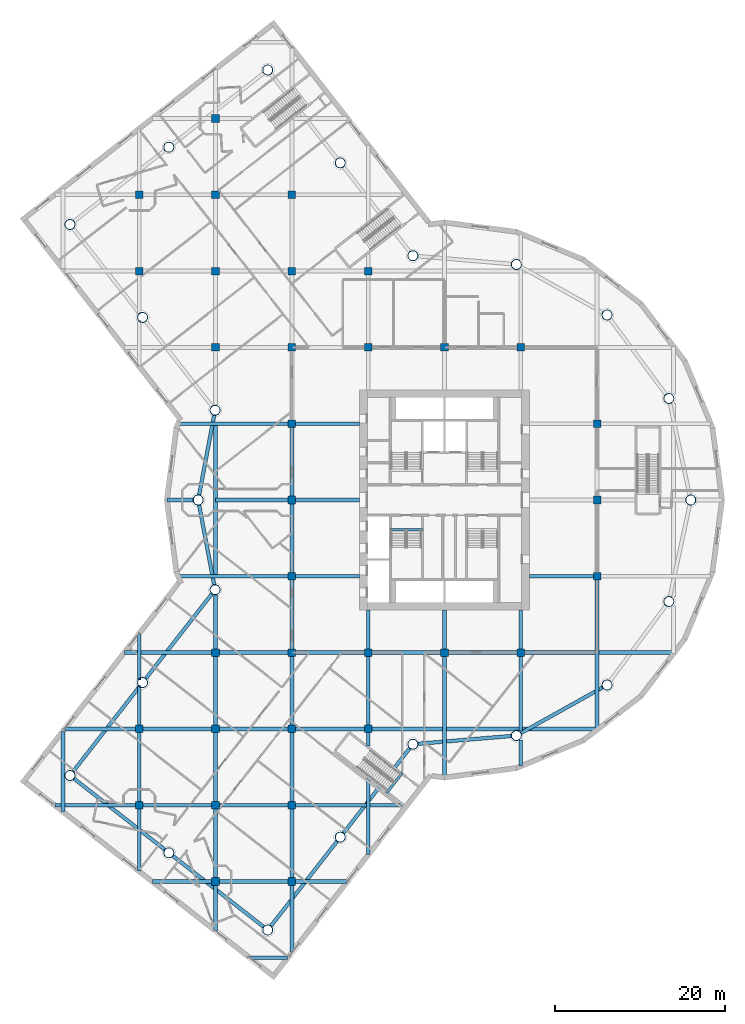
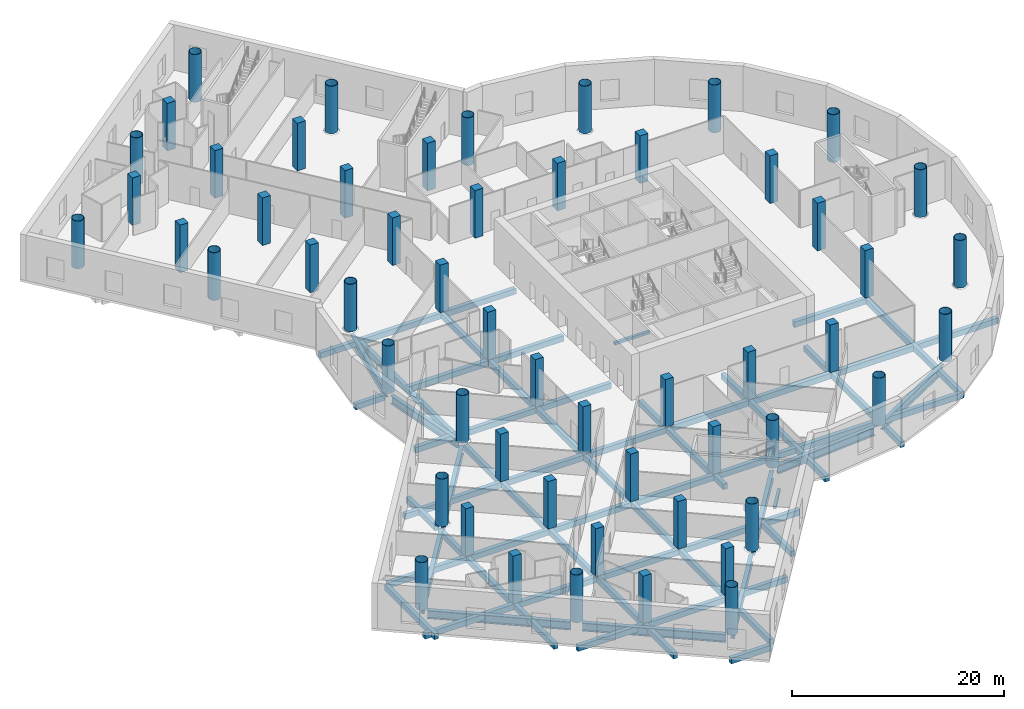
# One storey, part 1 of 23: 67 beams, 55 columns.
"""IFC4 building model written with IfcOpenShell, lengths in metres."""

from ifc_helpers import new_model, si_unit, direction, frame, origin, origin_2d, place, context, subcontext, project, spatial, rectangle, hollow_circle, i_section, extrude, material, material_profile, profile_set, type_object, element, save


model = new_model("IFC4")

# Units and contexts
model_context = context("Model", 3, precision=1e-05, world=origin(), true_north=direction((0.0, 1.0)))
body_context = subcontext(model_context, "Body", "Model", "MODEL_VIEW")
ifc_project = project(units=[si_unit("LENGTHUNIT", "METRE"), si_unit("AREAUNIT", "SQUARE_METRE"), si_unit("VOLUMEUNIT", "CUBIC_METRE"), si_unit("PLANEANGLEUNIT", "RADIAN"), si_unit("MASSUNIT", "GRAM", prefix="KILO")], contexts=[model_context])

# Site, building, storey
site_placement = place(None, origin())
site = spatial("IfcSite", under=ifc_project, at=site_placement, CompositionType="ELEMENT")
building_placement = place(site_placement, origin())
building = spatial("IfcBuilding", under=site, at=building_placement, Name="Tarsis Ring Headquarters", CompositionType="ELEMENT")
storey_placement = place(building_placement, frame((0.0, 0.0, 19.5)))
storey = spatial("IfcBuildingStorey", under=building, at=storey_placement, Name="L03", CompositionType="ELEMENT", Elevation=19.5)

# Columns
ifc_material_1 = material(Name="Concrete C60/75", Category="concrete")
ifc_material_profile_1 = material_profile(ifc_material_1, rectangle(XDim=0.89990234375, YDim=0.89990234375, at=origin_2d()), Name="PO-C900")
ifc_profile_set_1 = profile_set([ifc_material_profile_1], Name="Concrete C60/75")
column_type_1 = type_object("IfcColumnType", Name="PO-C900", PredefinedType="COLUMN", material=ifc_profile_set_1)
for number, where, z_axis, x_axis, name in (
    (1, (-36.0, -36.0, 0.0), (0.0, 0.0, 1.0), (1.0, 0.0, 0.0), "L03 column 1"),
    (2, (-36.0, -27.0, 0.0), (0.0, 0.0, 1.0), (1.0, 0.0, 0.0), "L03 column 2"),
    (3, (-36.0, 27.0, 0.0), (0.0, 0.0, 1.0), (1.0, 0.0, 0.0), "L03 column 3"),
    (4, (-36.0, 36.0, 0.0), (0.0, 0.0, 1.0), (1.0, 0.0, 0.0), "L03 column 4"),
    (5, (-27.0, -45.0, 0.0), (0.0, 0.0, 1.0), (1.0, 0.0, 0.0), "L03 column 5"),
    (6, (-27.0, -36.0, 0.0), (0.0, 0.0, 1.0), (1.0, 0.0, 0.0), "L03 column 6"),
    (7, (-27.0, -27.0, 0.0), (0.0, 0.0, 1.0), (1.0, 0.0, 0.0), "L03 column 7"),
    (8, (-27.0, -18.0, 0.0), (0.0, 0.0, 1.0), (1.0, 0.0, 0.0), "L03 column 8"),
    (9, (-27.0, 18.0, 0.0), (0.0, 0.0, 1.0), (1.0, 0.0, 0.0), "L03 column 9"),
    (10, (-27.0, 27.0, 0.0), (0.0, 0.0, 1.0), (1.0, 0.0, 0.0), "L03 column 10"),
    (11, (-27.0, 36.0, 0.0), (0.0, 0.0, 1.0), (1.0, 0.0, 0.0), "L03 column 11"),
    (12, (-27.0, 45.0, 0.0), (0.0, 0.0, 1.0), (1.0, 0.0, 0.0), "L03 column 12"),
    (13, (-18.0, -45.0, 0.0), (0.0, 0.0, 1.0), (1.0, 0.0, 0.0), "L03 column 13"),
    (14, (-18.0, -36.0, 0.0), (0.0, 0.0, 1.0), (1.0, 0.0, 0.0), "L03 column 14"),
    (15, (-18.0, -27.0, 0.0), (0.0, 0.0, 1.0), (1.0, 0.0, 0.0), "L03 column 15"),
    (16, (-18.0, -18.0, 0.0), (0.0, 0.0, 1.0), (1.0, 0.0, 0.0), "L03 column 16"),
    (17, (-18.0, -9.0, 0.0), (0.0, 0.0, 1.0), (1.0, 0.0, 0.0), "L03 column 17"),
    (18, (-18.0, 0.0, 0.0), (0.0, 0.0, 1.0), (1.0, 0.0, 0.0), "L03 column 18"),
    (19, (-18.0, 9.0, 0.0), (0.0, 0.0, 1.0), (1.0, 0.0, 0.0), "L03 column 19"),
    (20, (-18.0, 18.0, 0.0), (0.0, 0.0, 1.0), (1.0, 0.0, 0.0), "L03 column 20"),
    (21, (-18.0, 27.0, 0.0), (0.0, 0.0, 1.0), (1.0, 0.0, 0.0), "L03 column 21"),
    (22, (-18.0, 36.0, 0.0), (0.0, 0.0, 1.0), (1.0, 0.0, 0.0), "L03 column 22"),
    (23, (-9.0, -27.0, 0.0), (0.0, 0.0, 1.0), (1.0, 0.0, 0.0), "L03 column 23"),
    (24, (-9.0, -18.0, 0.0), (0.0, 0.0, 1.0), (1.0, 0.0, 0.0), "L03 column 24"),
    (25, (-9.0, 18.0, 0.0), (0.0, 0.0, 1.0), (1.0, 0.0, 0.0), "L03 column 25"),
    (26, (-9.0, 27.0, 0.0), (0.0, 0.0, 1.0), (1.0, 0.0, 0.0), "L03 column 26"),
    (27, (0.0, -18.0, 0.0), (0.0, 0.0, 1.0), (1.0, 0.0, 0.0), "L03 column 27"),
    (28, (0.0, 18.0, 0.0), (0.0, 0.0, 1.0), (1.0, 0.0, 0.0), "L03 column 28"),
    (29, (9.0, -18.0, 0.0), (0.0, 0.0, 1.0), (1.0, 0.0, 0.0), "L03 column 29"),
    (30, (9.0, 18.0, 0.0), (0.0, 0.0, 1.0), (1.0, 0.0, 0.0), "L03 column 30"),
    (31, (18.0, -9.0, 0.0), (0.0, 0.0, 1.0), (1.0, 0.0, 0.0), "L03 column 31"),
    (32, (18.0, 0.0, 0.0), (0.0, 0.0, 1.0), (1.0, 0.0, 0.0), "L03 column 32"),
    (33, (18.0, 9.0, 0.0), (0.0, 0.0, 1.0), (1.0, 0.0, 0.0), "L03 column 33"),
):
    element("IfcColumn", number, at=place(storey_placement, frame(where, z_axis=z_axis, x_axis=x_axis)), inside=storey, type_object=column_type_1, Name=name, PredefinedType="COLUMN", context=body_context, shape_type="SweptSolid", body=[
        extrude(rectangle(XDim=0.89990234375, YDim=0.89990234375, at=origin_2d()), origin(), (0.0, 0.0, 1.0), 5.5),
    ])
ifc_material_2 = material(Name="Structural steel S460", Category="steel")
ifc_material_profile_2 = material_profile(ifc_material_2, hollow_circle(Radius=0.609619140625, WallThickness=0.050048828125, at=origin_2d()), Name="CHS 1219x50")
ifc_profile_set_2 = profile_set([ifc_material_profile_2], Name="Structural steel S460")
column_type_2 = type_object("IfcColumnType", Name="XC Exo column CHS 1219x50", PredefinedType="COLUMN", material=ifc_profile_set_2)
for number, where, z_axis, x_axis, name in (
    (34, (-29.048583984375, 0.0, 0.000244140625), (0.0, 0.0, 1.0), (1.0, 0.0, 0.0), "Exo column XC1 F1"),
    (35, (-27.05126953125, -10.5849609375, 0.000244140625), (0.0, 0.0, 1.0), (1.0, 0.0, 0.0), "Exo column XC1 AK"),
    (36, (-35.6103515625, -21.5400390625, 0.000244140625), (0.0, 0.0, 1.0), (1.0, 0.0, 0.0), "Exo column XC1 AI1"),
    (37, (-44.16943359375, -32.4951171875, 0.000244140625), (0.0, 0.0, 1.0), (1.0, 0.0, 0.0), "Exo column XC1 AT1"),
    (38, (-32.5068359375, -41.60693359375, 0.000244140625), (0.0, 0.0, 1.0), (1.0, 0.0, 0.0), "Exo column XC1 AT2"),
    (39, (-20.844482421875, -50.71875, 0.000244140625), (0.0, 0.0, 1.0), (1.0, 0.0, 0.0), "Exo column XC1 AT3"),
    (40, (-12.285400390625, -39.763671875, 0.000244140625), (0.0, 0.0, 1.0), (1.0, 0.0, 0.0), "Exo column XC1 AO1"),
    (41, (-3.726318359375, -28.80859375, 0.000244140625), (0.0, 0.0, 1.0), (1.0, 0.0, 0.0), "Exo column XC1 AJ"),
    (42, (8.479736328125, -27.783203125, 0.000244140625), (0.0, 0.0, 1.0), (1.0, 0.0, 0.0), "Exo column XC1 R1"),
    (43, (19.177734375, -21.818115234375, 0.000244140625), (0.0, 0.0, 1.0), (1.0, 0.0, 0.0), "Exo column XC1 R2"),
    (44, (26.466064453125, -11.9736328125, 0.000244140625), (0.0, 0.0, 1.0), (1.0, 0.0, 0.0), "Exo column XC1 R3"),
    (45, (29.048583984375, 0.0, 0.000244140625), (0.0, 0.0, 1.0), (1.0, 0.0, 0.0), "Exo column XC1 R4"),
    (46, (26.466064453125, 11.9736328125, 0.000244140625), (0.0, 0.0, 1.0), (1.0, 0.0, 0.0), "Exo column XC1 R5"),
    (47, (19.177734375, 21.818115234375, 0.000244140625), (0.0, 0.0, 1.0), (1.0, 0.0, 0.0), "Exo column XC1 R6"),
    (48, (8.479736328125, 27.783203125, 0.000244140625), (0.0, 0.0, 1.0), (1.0, 0.0, 0.0), "Exo column XC1 R7"),
    (49, (-3.726318359375, 28.80859375, 0.000244140625), (0.0, 0.0, 1.0), (1.0, 0.0, 0.0), "Exo column XC1 BJ"),
    (50, (-12.285400390625, 39.763671875, 0.000244140625), (0.0, 0.0, 1.0), (1.0, 0.0, 0.0), "Exo column XC1 BO1"),
    (51, (-20.844482421875, 50.71875, 0.000244140625), (0.0, 0.0, 1.0), (1.0, 0.0, 0.0), "Exo column XC1 BT3"),
    (52, (-32.5068359375, 41.60693359375, 0.000244140625), (0.0, 0.0, 1.0), (1.0, 0.0, 0.0), "Exo column XC1 BT2"),
    (53, (-44.16943359375, 32.4951171875, 0.000244140625), (0.0, 0.0, 1.0), (1.0, 0.0, 0.0), "Exo column XC1 BT1"),
    (54, (-35.6103515625, 21.5400390625, 0.000244140625), (0.0, 0.0, 1.0), (1.0, 0.0, 0.0), "Exo column XC1 BI1"),
    (55, (-27.05126953125, 10.5849609375, 0.000244140625), (0.0, 0.0, 1.0), (1.0, 0.0, 0.0), "Exo column XC1 BK"),
):
    element("IfcColumn", number, at=place(storey_placement, frame(where, z_axis=z_axis, x_axis=x_axis)), inside=storey, type_object=column_type_2, Name=name, PredefinedType="COLUMN", context=body_context, shape_type="SweptSolid", body=[
        extrude(hollow_circle(Radius=0.609619140625, WallThickness=0.050048828125, at=origin_2d()), origin(), (0.0, 0.0, 1.0), 5.49951171875),
    ])

# Beams
ifc_material_3 = material(Name="Concrete C40/50", Category="concrete")
ifc_material_profile_3 = material_profile(ifc_material_3, rectangle(XDim=0.449951171875, YDim=0.64990234375, at=origin_2d()), Name="PO-B450")
ifc_profile_set_3 = profile_set([ifc_material_profile_3], Name="Concrete C40/50")
beam_type_1 = type_object("IfcBeamType", Name="PO-B450", PredefinedType="BEAM", material=ifc_profile_set_3)
beam_1_placement = place(storey_placement, frame((-45.0, -36.73193359375, -0.574951171875), z_axis=(0.0, 1.0, 0.0), x_axis=(-1.0, 0.0, 0.0)))
element("IfcBeam", 56, at=beam_1_placement, inside=storey, type_object=beam_type_1, Name="L03 floor beam 1", PredefinedType="BEAM", context=body_context, shape_type="SweptSolid", body=[
    extrude(rectangle(XDim=0.449951171875, YDim=0.64990234375, at=origin_2d()), origin(), (0.0, 0.0, 1.0), 9.42724609375),
])
beam_2_placement = place(storey_placement, frame((-36.0, -43.763671875, -0.574951171875), z_axis=(0.0, 1.0, 0.0), x_axis=(-1.0, 0.0, 0.0)))
element("IfcBeam", 57, at=beam_2_placement, inside=storey, type_object=beam_type_1, Name="L03 floor beam 3", PredefinedType="BEAM", context=body_context, shape_type="SweptSolid", body=[
    extrude(rectangle(XDim=0.449951171875, YDim=0.64990234375, at=origin_2d()), origin(), (0.0, 0.0, 1.0), 7.763671875),
])
beam_3_placement = place(storey_placement, frame((-36.0, -36.0, -0.574951171875), z_axis=(0.0, 1.0, 0.0), x_axis=(-1.0, 0.0, 0.0)))
element("IfcBeam", 58, at=beam_3_placement, inside=storey, type_object=beam_type_1, Name="L03 floor beam 4", PredefinedType="BEAM", context=body_context, shape_type="SweptSolid", body=[
    extrude(rectangle(XDim=0.449951171875, YDim=0.64990234375, at=origin_2d()), origin(), (0.0, 0.0, 1.0), 9.0),
])
beam_4_placement = place(storey_placement, frame((-36.0, -27.0, -0.574951171875), z_axis=(0.0, 1.0, 0.0), x_axis=(-1.0, 0.0, 0.0)))
element("IfcBeam", 59, at=beam_4_placement, inside=storey, type_object=beam_type_1, Name="L03 floor beam 5", PredefinedType="BEAM", context=body_context, shape_type="SweptSolid", body=[
    extrude(rectangle(XDim=0.449951171875, YDim=0.64990234375, at=origin_2d()), origin(), (0.0, 0.0, 1.0), 5.146484375),
])
beam_5_placement = place(storey_placement, frame((-36.0, -21.2265625, -0.574951171875), z_axis=(0.0, 1.0, 0.0), x_axis=(-1.0, 0.0, 0.0)))
element("IfcBeam", 60, at=beam_5_placement, inside=storey, type_object=beam_type_1, Name="L03 floor beam 6", PredefinedType="BEAM", context=body_context, shape_type="SweptSolid", body=[
    extrude(rectangle(XDim=0.449951171875, YDim=0.64990234375, at=origin_2d()), origin(), (0.0, 0.0, 1.0), 5.44140625),
])
beam_6_placement = place(storey_placement, frame((-27.0, -50.795166015625, -0.574951171875), z_axis=(0.0, 1.0, 0.0), x_axis=(-1.0, 0.0, 0.0)))
element("IfcBeam", 61, at=beam_6_placement, inside=storey, type_object=beam_type_1, Name="L03 floor beam 11", PredefinedType="BEAM", context=body_context, shape_type="SweptSolid", body=[
    extrude(rectangle(XDim=0.449951171875, YDim=0.64990234375, at=origin_2d()), origin(), (0.0, 0.0, 1.0), 5.795166015625),
])
for number, where, z_axis, x_axis, name in (
    (62, (-27.0, -45.0, -0.574951171875), (0.0, 1.0, 0.0), (-1.0, 0.0, 0.0), "L03 floor beam 12"),
    (63, (-27.0, -36.0, -0.574951171875), (0.0, 1.0, 0.0), (-1.0, 0.0, 0.0), "L03 floor beam 13"),
    (64, (-27.0, -27.0, -0.574951171875), (0.0, 1.0, 0.0), (-1.0, 0.0, 0.0), "L03 floor beam 14"),
):
    element("IfcBeam", number, at=place(storey_placement, frame(where, z_axis=z_axis, x_axis=x_axis)), inside=storey, type_object=beam_type_1, Name=name, PredefinedType="BEAM", context=body_context, shape_type="SweptSolid", body=[
        extrude(rectangle(XDim=0.449951171875, YDim=0.64990234375, at=origin_2d()), origin(), (0.0, 0.0, 1.0), 9.0),
    ])
beam_7_placement = place(storey_placement, frame((-27.0, -18.0, -0.574951171875), z_axis=(0.0, 1.0, 0.0), x_axis=(-1.0, 0.0, 0.0)))
element("IfcBeam", 65, at=beam_7_placement, inside=storey, type_object=beam_type_1, Name="L03 floor beam 15", PredefinedType="BEAM", context=body_context, shape_type="SweptSolid", body=[
    extrude(rectangle(XDim=0.449951171875, YDim=0.64990234375, at=origin_2d()), origin(), (0.0, 0.0, 1.0), 6.917724609375),
])
beam_8_placement = place(storey_placement, frame((-27.0, -9.0, -0.574951171875), z_axis=(0.0, 1.0, 0.0), x_axis=(-1.0, 0.0, 0.0)))
element("IfcBeam", 66, at=beam_8_placement, inside=storey, type_object=beam_type_1, Name="L03 floor beam 16", PredefinedType="BEAM", context=body_context, shape_type="SweptSolid", body=[
    extrude(rectangle(XDim=0.449951171875, YDim=0.64990234375, at=origin_2d()), origin(), (0.0, 0.0, 1.0), 18.0),
])
beam_9_placement = place(storey_placement, frame((-18.0, -53.33154296875, -0.574951171875), z_axis=(0.0, 1.0, 0.0), x_axis=(-1.0, 0.0, 0.0)))
element("IfcBeam", 67, at=beam_9_placement, inside=storey, type_object=beam_type_1, Name="L03 floor beam 22", PredefinedType="BEAM", context=body_context, shape_type="SweptSolid", body=[
    extrude(rectangle(XDim=0.449951171875, YDim=0.64990234375, at=origin_2d()), origin(), (0.0, 0.0, 1.0), 8.33154296875),
])
for number, where, z_axis, x_axis, name in (
    (68, (-18.0, -45.0, -0.574951171875), (0.0, 1.0, 0.0), (-1.0, 0.0, 0.0), "L03 floor beam 23"),
    (69, (-18.0, -36.0, -0.574951171875), (0.0, 1.0, 0.0), (-1.0, 0.0, 0.0), "L03 floor beam 24"),
    (70, (-18.0, -27.0, -0.574951171875), (0.0, 1.0, 0.0), (-1.0, 0.0, 0.0), "L03 floor beam 25"),
    (71, (-18.0, -18.0, -0.574951171875), (0.0, 1.0, 0.0), (-1.0, 0.0, 0.0), "L03 floor beam 26"),
    (72, (-18.0, -9.0, -0.574951171875), (0.0, 1.0, 0.0), (-1.0, 0.0, 0.0), "L03 floor beam 27"),
    (73, (-18.0, 0.0, -0.574951171875), (0.0, 1.0, 0.0), (-1.0, 0.0, 0.0), "L03 floor beam 28"),
):
    element("IfcBeam", number, at=place(storey_placement, frame(where, z_axis=z_axis, x_axis=x_axis)), inside=storey, type_object=beam_type_1, Name=name, PredefinedType="BEAM", context=body_context, shape_type="SweptSolid", body=[
        extrude(rectangle(XDim=0.449951171875, YDim=0.64990234375, at=origin_2d()), origin(), (0.0, 0.0, 1.0), 9.0),
    ])
beam_10_placement = place(storey_placement, frame((-9.0, -41.81201171875, -0.574951171875), z_axis=(0.0, 1.0, 0.0), x_axis=(-1.0, 0.0, 0.0)))
element("IfcBeam", 74, at=beam_10_placement, inside=storey, type_object=beam_type_1, Name="L03 floor beam 34", PredefinedType="BEAM", context=body_context, shape_type="SweptSolid", body=[
    extrude(rectangle(XDim=0.449951171875, YDim=0.64990234375, at=origin_2d()), origin(), (0.0, 0.0, 1.0), 8.939697265625),
])
beam_11_placement = place(storey_placement, frame((-9.0, -29.003173828125, -0.574951171875), z_axis=(0.0, 1.0, 0.0), x_axis=(-1.0, 0.0, 0.0)))
element("IfcBeam", 75, at=beam_11_placement, inside=storey, type_object=beam_type_1, Name="L03 floor beam 35", PredefinedType="BEAM", context=body_context, shape_type="SweptSolid", body=[
    extrude(rectangle(XDim=0.449951171875, YDim=0.64990234375, at=origin_2d()), origin(), (0.0, 0.0, 1.0), 2.003173828125),
])
beam_12_placement = place(storey_placement, frame((-9.0, -27.0, -0.574951171875), z_axis=(0.0, 1.0, 0.0), x_axis=(-1.0, 0.0, 0.0)))
element("IfcBeam", 76, at=beam_12_placement, inside=storey, type_object=beam_type_1, Name="L03 floor beam 36", PredefinedType="BEAM", context=body_context, shape_type="SweptSolid", body=[
    extrude(rectangle(XDim=0.449951171875, YDim=0.64990234375, at=origin_2d()), origin(), (0.0, 0.0, 1.0), 9.0),
])
beam_13_placement = place(storey_placement, frame((-9.0, -18.0, -0.574951171875), z_axis=(0.0, 1.0, 0.0), x_axis=(-1.0, 0.0, 0.0)))
element("IfcBeam", 77, at=beam_13_placement, inside=storey, type_object=beam_type_1, Name="L03 floor beam 37", PredefinedType="BEAM", context=body_context, shape_type="SweptSolid", body=[
    extrude(rectangle(XDim=0.449951171875, YDim=0.64990234375, at=origin_2d()), origin(), (0.0, 0.0, 1.0), 5.0),
])
beam_14_placement = place(storey_placement, frame((0.0, -32.70458984375, -0.574951171875), z_axis=(0.0, 1.0, 0.0), x_axis=(-1.0, 0.0, 0.0)))
element("IfcBeam", 78, at=beam_14_placement, inside=storey, type_object=beam_type_1, Name="L03 floor beam 42", PredefinedType="BEAM", context=body_context, shape_type="SweptSolid", body=[
    extrude(rectangle(XDim=0.449951171875, YDim=0.64990234375, at=origin_2d()), origin(), (0.0, 0.0, 1.0), 14.70458984375),
])
beam_15_placement = place(storey_placement, frame((0.0, -18.0, -0.574951171875), z_axis=(0.0, 1.0, 0.0), x_axis=(-1.0, 0.0, 0.0)))
element("IfcBeam", 79, at=beam_15_placement, inside=storey, type_object=beam_type_1, Name="L03 floor beam 43", PredefinedType="BEAM", context=body_context, shape_type="SweptSolid", body=[
    extrude(rectangle(XDim=0.449951171875, YDim=0.64990234375, at=origin_2d()), origin(), (0.0, 0.0, 1.0), 5.0),
])
beam_16_placement = place(storey_placement, frame((9.0, -31.371337890625, -0.574951171875), z_axis=(0.0, 1.0, 0.0), x_axis=(-1.0, 0.0, 0.0)))
element("IfcBeam", 80, at=beam_16_placement, inside=storey, type_object=beam_type_1, Name="L03 floor beam 46", PredefinedType="BEAM", context=body_context, shape_type="SweptSolid", body=[
    extrude(rectangle(XDim=0.449951171875, YDim=0.64990234375, at=origin_2d()), origin(), (0.0, 0.0, 1.0), 3.050048828125),
])
beam_17_placement = place(storey_placement, frame((9.0, -27.245361328125, -0.574951171875), z_axis=(0.0, 1.0, 0.0), x_axis=(-1.0, 0.0, 0.0)))
element("IfcBeam", 81, at=beam_17_placement, inside=storey, type_object=beam_type_1, Name="L03 floor beam 47", PredefinedType="BEAM", context=body_context, shape_type="SweptSolid", body=[
    extrude(rectangle(XDim=0.449951171875, YDim=0.64990234375, at=origin_2d()), origin(), (0.0, 0.0, 1.0), 9.245361328125),
])
beam_18_placement = place(storey_placement, frame((9.0, -18.0, -0.574951171875), z_axis=(0.0, 1.0, 0.0), x_axis=(-1.0, 0.0, 0.0)))
element("IfcBeam", 82, at=beam_18_placement, inside=storey, type_object=beam_type_1, Name="L03 floor beam 48", PredefinedType="BEAM", context=body_context, shape_type="SweptSolid", body=[
    extrude(rectangle(XDim=0.449951171875, YDim=0.64990234375, at=origin_2d()), origin(), (0.0, 0.0, 1.0), 5.0),
])
beam_19_placement = place(storey_placement, frame((18.0, -27.062255859375, -0.574951171875), z_axis=(0.0, 1.0, 0.0), x_axis=(-1.0, 0.0, 0.0)))
element("IfcBeam", 83, at=beam_19_placement, inside=storey, type_object=beam_type_1, Name="L03 floor beam 52", PredefinedType="BEAM", context=body_context, shape_type="SweptSolid", body=[
    extrude(rectangle(XDim=0.449951171875, YDim=0.64990234375, at=origin_2d()), origin(), (0.0, 0.0, 1.0), 18.062255859375),
])
beam_20_placement = place(storey_placement, frame((-22.89794921875, -54.0, -0.574951171875), z_axis=(1.0, 0.0, 0.0), x_axis=(0.0, 1.0, 0.0)))
element("IfcBeam", 84, at=beam_20_placement, inside=storey, type_object=beam_type_1, Name="L03 floor beam 59", PredefinedType="BEAM", context=body_context, shape_type="SweptSolid", body=[
    extrude(rectangle(XDim=0.449951171875, YDim=0.64990234375, at=origin_2d()), origin(), (0.0, 0.0, 1.0), 4.375732421875),
])
beam_21_placement = place(storey_placement, frame((-34.41748046875, -45.0, -0.574951171875), z_axis=(1.0, 0.0, 0.0), x_axis=(0.0, 1.0, 0.0)))
element("IfcBeam", 85, at=beam_21_placement, inside=storey, type_object=beam_type_1, Name="L03 floor beam 60", PredefinedType="BEAM", context=body_context, shape_type="SweptSolid", body=[
    extrude(rectangle(XDim=0.449951171875, YDim=0.64990234375, at=origin_2d()), origin(), (0.0, 0.0, 1.0), 7.41748046875),
])
beam_22_placement = place(storey_placement, frame((-27.0, -45.0, -0.574951171875), z_axis=(1.0, 0.0, 0.0), x_axis=(0.0, 1.0, 0.0)))
element("IfcBeam", 86, at=beam_22_placement, inside=storey, type_object=beam_type_1, Name="L03 floor beam 61", PredefinedType="BEAM", context=body_context, shape_type="SweptSolid", body=[
    extrude(rectangle(XDim=0.449951171875, YDim=0.64990234375, at=origin_2d()), origin(), (0.0, 0.0, 1.0), 9.0),
])
beam_23_placement = place(storey_placement, frame((-18.0, -45.0, -0.574951171875), z_axis=(1.0, 0.0, 0.0), x_axis=(0.0, 1.0, 0.0)))
element("IfcBeam", 87, at=beam_23_placement, inside=storey, type_object=beam_type_1, Name="L03 floor beam 62", PredefinedType="BEAM", context=body_context, shape_type="SweptSolid", body=[
    extrude(rectangle(XDim=0.449951171875, YDim=0.64990234375, at=origin_2d()), origin(), (0.0, 0.0, 1.0), 6.50927734375),
])
beam_24_placement = place(storey_placement, frame((-45.93701171875, -36.0, -0.574951171875), z_axis=(1.0, 0.0, 0.0), x_axis=(0.0, 1.0, 0.0)))
element("IfcBeam", 88, at=beam_24_placement, inside=storey, type_object=beam_type_1, Name="L03 floor beam 63", PredefinedType="BEAM", context=body_context, shape_type="SweptSolid", body=[
    extrude(rectangle(XDim=0.449951171875, YDim=0.64990234375, at=origin_2d()), origin(), (0.0, 0.0, 1.0), 9.93701171875),
])
for number, where, z_axis, x_axis, name in (
    (89, (-36.0, -36.0, -0.574951171875), (1.0, 0.0, 0.0), (0.0, 1.0, 0.0), "L03 floor beam 64"),
    (90, (-27.0, -36.0, -0.574951171875), (1.0, 0.0, 0.0), (0.0, 1.0, 0.0), "L03 floor beam 65"),
):
    element("IfcBeam", number, at=place(storey_placement, frame(where, z_axis=z_axis, x_axis=x_axis)), inside=storey, type_object=beam_type_1, Name=name, PredefinedType="BEAM", context=body_context, shape_type="SweptSolid", body=[
        extrude(rectangle(XDim=0.449951171875, YDim=0.64990234375, at=origin_2d()), origin(), (0.0, 0.0, 1.0), 9.0),
    ])
beam_25_placement = place(storey_placement, frame((-18.0, -36.0, -0.574951171875), z_axis=(1.0, 0.0, 0.0), x_axis=(0.0, 1.0, 0.0)))
element("IfcBeam", 91, at=beam_25_placement, inside=storey, type_object=beam_type_1, Name="L03 floor beam 66", PredefinedType="BEAM", context=body_context, shape_type="SweptSolid", body=[
    extrude(rectangle(XDim=0.449951171875, YDim=0.64990234375, at=origin_2d()), origin(), (0.0, 0.0, 1.0), 13.0068359375),
])
beam_26_placement = place(storey_placement, frame((-44.761962890625, -27.0, -0.574951171875), z_axis=(1.0, 0.0, 0.0), x_axis=(0.0, 1.0, 0.0)))
element("IfcBeam", 92, at=beam_26_placement, inside=storey, type_object=beam_type_1, Name="L03 floor beam 67", PredefinedType="BEAM", context=body_context, shape_type="SweptSolid", body=[
    extrude(rectangle(XDim=0.449951171875, YDim=0.64990234375, at=origin_2d()), origin(), (0.0, 0.0, 1.0), 8.761962890625),
])
for number, where, z_axis, x_axis, name in (
    (93, (-36.0, -27.0, -0.574951171875), (1.0, 0.0, 0.0), (0.0, 1.0, 0.0), "L03 floor beam 68"),
    (94, (-27.0, -27.0, -0.574951171875), (1.0, 0.0, 0.0), (0.0, 1.0, 0.0), "L03 floor beam 69"),
    (95, (-18.0, -27.0, -0.574951171875), (1.0, 0.0, 0.0), (0.0, 1.0, 0.0), "L03 floor beam 70"),
):
    element("IfcBeam", number, at=place(storey_placement, frame(where, z_axis=z_axis, x_axis=x_axis)), inside=storey, type_object=beam_type_1, Name=name, PredefinedType="BEAM", context=body_context, shape_type="SweptSolid", body=[
        extrude(rectangle(XDim=0.449951171875, YDim=0.64990234375, at=origin_2d()), origin(), (0.0, 0.0, 1.0), 9.0),
    ])
beam_27_placement = place(storey_placement, frame((-9.0, -27.0, -0.574951171875), z_axis=(1.0, 0.0, 0.0), x_axis=(0.0, 1.0, 0.0)))
element("IfcBeam", 96, at=beam_27_placement, inside=storey, type_object=beam_type_1, Name="L03 floor beam 71", PredefinedType="BEAM", context=body_context, shape_type="SweptSolid", body=[
    extrude(rectangle(XDim=0.449951171875, YDim=0.64990234375, at=origin_2d()), origin(), (0.0, 0.0, 1.0), 27.0810546875),
])
beam_28_placement = place(storey_placement, frame((-37.730224609375, -18.0, -0.574951171875), z_axis=(1.0, 0.0, 0.0), x_axis=(0.0, 1.0, 0.0)))
element("IfcBeam", 97, at=beam_28_placement, inside=storey, type_object=beam_type_1, Name="L03 floor beam 72", PredefinedType="BEAM", context=body_context, shape_type="SweptSolid", body=[
    extrude(rectangle(XDim=0.449951171875, YDim=0.64990234375, at=origin_2d()), origin(), (0.0, 0.0, 1.0), 10.730224609375),
])
for number, where, z_axis, x_axis, name in (
    (98, (-27.0, -18.0, -0.574951171875), (1.0, 0.0, 0.0), (0.0, 1.0, 0.0), "L03 floor beam 73"),
    (99, (-18.0, -18.0, -0.574951171875), (1.0, 0.0, 0.0), (0.0, 1.0, 0.0), "L03 floor beam 74"),
    (100, (-9.0, -18.0, -0.574951171875), (1.0, 0.0, 0.0), (0.0, 1.0, 0.0), "L03 floor beam 75"),
    (101, (0.0, -18.0, -0.574951171875), (1.0, 0.0, 0.0), (0.0, 1.0, 0.0), "L03 floor beam 76"),
):
    element("IfcBeam", number, at=place(storey_placement, frame(where, z_axis=z_axis, x_axis=x_axis)), inside=storey, type_object=beam_type_1, Name=name, PredefinedType="BEAM", context=body_context, shape_type="SweptSolid", body=[
        extrude(rectangle(XDim=0.449951171875, YDim=0.64990234375, at=origin_2d()), origin(), (0.0, 0.0, 1.0), 9.0),
    ])
beam_29_placement = place(storey_placement, frame((9.0, -18.0, -0.574951171875), z_axis=(1.0, 0.0, 0.0), x_axis=(0.0, 1.0, 0.0)))
element("IfcBeam", 102, at=beam_29_placement, inside=storey, type_object=beam_type_1, Name="L03 floor beam 77", PredefinedType="BEAM", context=body_context, shape_type="SweptSolid", body=[
    extrude(rectangle(XDim=0.449951171875, YDim=0.64990234375, at=origin_2d()), origin(), (0.0, 0.0, 1.0), 18.062255859375),
])
beam_30_placement = place(storey_placement, frame((-31.371337890625, -9.0, -0.574951171875), z_axis=(1.0, 0.0, 0.0), x_axis=(0.0, 1.0, 0.0)))
element("IfcBeam", 103, at=beam_30_placement, inside=storey, type_object=beam_type_1, Name="L03 floor beam 78", PredefinedType="BEAM", context=body_context, shape_type="SweptSolid", body=[
    extrude(rectangle(XDim=0.449951171875, YDim=0.64990234375, at=origin_2d()), origin(), (0.0, 0.0, 1.0), 13.371337890625),
])
for number, where, z_axis, x_axis, name in (
    (104, (-18.0, -9.0, -0.574951171875), (1.0, 0.0, 0.0), (0.0, 1.0, 0.0), "L03 floor beam 79"),
    (105, (10.0, -9.0, -0.574951171875), (1.0, 0.0, 0.0), (0.0, 1.0, 0.0), "L03 floor beam 80"),
):
    element("IfcBeam", number, at=place(storey_placement, frame(where, z_axis=z_axis, x_axis=x_axis)), inside=storey, type_object=beam_type_1, Name=name, PredefinedType="BEAM", context=body_context, shape_type="SweptSolid", body=[
        extrude(rectangle(XDim=0.449951171875, YDim=0.64990234375, at=origin_2d()), origin(), (0.0, 0.0, 1.0), 8.0),
    ])
beam_31_placement = place(storey_placement, frame((-32.70458984375, 0.0, -0.574951171875), z_axis=(1.0, 0.0, 0.0), x_axis=(0.0, 1.0, 0.0)))
element("IfcBeam", 106, at=beam_31_placement, inside=storey, type_object=beam_type_1, Name="L03 floor beam 82", PredefinedType="BEAM", context=body_context, shape_type="SweptSolid", body=[
    extrude(rectangle(XDim=0.449951171875, YDim=0.64990234375, at=origin_2d()), origin(), (0.0, 0.0, 1.0), 3.156005859375),
])
beam_32_placement = place(storey_placement, frame((-27.0, 0.0, -0.574951171875), z_axis=(1.0, 0.0, 0.0), x_axis=(0.0, 1.0, 0.0)))
element("IfcBeam", 107, at=beam_32_placement, inside=storey, type_object=beam_type_1, Name="L03 floor beam 83", PredefinedType="BEAM", context=body_context, shape_type="SweptSolid", body=[
    extrude(rectangle(XDim=0.449951171875, YDim=0.64990234375, at=origin_2d()), origin(), (0.0, 0.0, 1.0), 9.0),
])
beam_33_placement = place(storey_placement, frame((-18.0, 0.0, -0.574951171875), z_axis=(1.0, 0.0, 0.0), x_axis=(0.0, 1.0, 0.0)))
element("IfcBeam", 108, at=beam_33_placement, inside=storey, type_object=beam_type_1, Name="L03 floor beam 84", PredefinedType="BEAM", context=body_context, shape_type="SweptSolid", body=[
    extrude(rectangle(XDim=0.449951171875, YDim=0.64990234375, at=origin_2d()), origin(), (0.0, 0.0, 1.0), 8.0),
])
beam_34_placement = place(storey_placement, frame((-31.371337890625, 9.0, -0.574951171875), z_axis=(1.0, 0.0, 0.0), x_axis=(0.0, 1.0, 0.0)))
element("IfcBeam", 109, at=beam_34_placement, inside=storey, type_object=beam_type_1, Name="L03 floor beam 89", PredefinedType="BEAM", context=body_context, shape_type="SweptSolid", body=[
    extrude(rectangle(XDim=0.449951171875, YDim=0.64990234375, at=origin_2d()), origin(), (0.0, 0.0, 1.0), 13.371337890625),
])
beam_35_placement = place(storey_placement, frame((-18.0, 9.0, -0.574951171875), z_axis=(1.0, 0.0, 0.0), x_axis=(0.0, 1.0, 0.0)))
element("IfcBeam", 110, at=beam_35_placement, inside=storey, type_object=beam_type_1, Name="L03 floor beam 90", PredefinedType="BEAM", context=body_context, shape_type="SweptSolid", body=[
    extrude(rectangle(XDim=0.449951171875, YDim=0.64990234375, at=origin_2d()), origin(), (0.0, 0.0, 1.0), 8.0),
])
ifc_material_profile_4 = material_profile(ifc_material_1, rectangle(XDim=0.300048828125, YDim=0.300048828125, at=origin_2d()), Name="PO-SHB300")
ifc_profile_set_4 = profile_set([ifc_material_profile_4], Name="Concrete C60/75")
beam_type_2 = type_object("IfcBeamType", Name="PO-SHB300", PredefinedType="BEAM", material=ifc_profile_set_4)
beam_36_placement = place(storey_placement, frame((-4.955322265625, -32.160400390625, -0.39990234375), z_axis=(-0.615308465652, -0.788286427701, 0.0), x_axis=(0.788286427701, -0.615308465652, 0.0)))
element("IfcBeam", 111, at=beam_36_placement, inside=storey, type_object=beam_type_2, Name="Stair head beam L03 PS2", PredefinedType="BEAM", context=body_context, shape_type="SweptSolid", body=[
    extrude(rectangle(XDim=0.300048828125, YDim=0.300048828125, at=origin_2d()), origin(), (0.0, 0.0, 1.0), 3.050048828125),
])
ifc_material_profile_5 = material_profile(ifc_material_3, rectangle(XDim=0.300048828125, YDim=0.300048828125, at=origin_2d()), Name="Stair head beam 300x300 C40/50")
ifc_profile_set_5 = profile_set([ifc_material_profile_5], Name="Concrete C40/50")
beam_type_3 = type_object("IfcBeamType", Name="Stair head beam 300x300 C40/50", PredefinedType="BEAM", material=ifc_profile_set_5)
beam_37_placement = place(storey_placement, frame((-6.39990234375, -3.510009765625, -0.39990234375), z_axis=(1.0, 0.0, 0.0), x_axis=(0.0, 1.0, 0.0)))
element("IfcBeam", 112, at=beam_37_placement, inside=storey, type_object=beam_type_3, Name="Stair head beam L03 Exit stair C", PredefinedType="BEAM", context=body_context, shape_type="SweptSolid", body=[
    extrude(rectangle(XDim=0.300048828125, YDim=0.300048828125, at=origin_2d()), origin(), (0.0, 0.0, 1.0), 3.7998046875),
])
ifc_material_4 = material(Name="Structural steel S355", Category="steel")
ifc_material_profile_6 = material_profile(ifc_material_4, i_section(OverallWidth=0.42431640625, OverallDepth=0.947509765625, WebThickness=0.02392578125, FlangeThickness=0.042724609375, at=origin_2d()), Name="W36x302")
ifc_profile_set_6 = profile_set([ifc_material_profile_6], Name="Structural steel S355")
beam_type_4 = type_object("IfcBeamType", Name="XG Ring girder W36x302", PredefinedType="BEAM", material=ifc_profile_set_6)
beam_38_placement = place(storey_placement, frame((-28.94677734375, -0.5390625, -0.7236328125), z_axis=(0.185403721267, -0.982662434481, 0.0), x_axis=(0.982662434481, 0.185403721267, 0.0)))
element("IfcBeam", 113, at=beam_38_placement, inside=storey, type_object=beam_type_4, Name="Ring girder XG1", PredefinedType="BEAM", context=body_context, shape_type="SweptSolid", body=[
    extrude(i_section(OverallWidth=0.42431640625, OverallDepth=0.947509765625, WebThickness=0.02392578125, FlangeThickness=0.042724609375, at=origin_2d()), origin(), (0.0, 0.0, 1.0), 9.674560546875),
])
for number, where, z_axis, x_axis, name in (
    (114, (-27.38916015625, -11.017333984375, -0.7236328125), (-0.615666981287, -0.788006451847, 0.0), (0.788006451847, -0.615666981287, 0.0), "Ring girder XG1"),
    (115, (-35.9482421875, -21.972412109375, -0.7236328125), (-0.615666981287, -0.788006451847, 0.0), (0.788006451847, -0.615666981287, 0.0), "Ring girder XG1"),
):
    element("IfcBeam", number, at=place(storey_placement, frame(where, z_axis=z_axis, x_axis=x_axis)), inside=storey, type_object=beam_type_4, Name=name, PredefinedType="BEAM", context=body_context, shape_type="SweptSolid", body=[
        extrude(i_section(OverallWidth=0.42431640625, OverallDepth=0.947509765625, WebThickness=0.02392578125, FlangeThickness=0.042724609375, at=origin_2d()), origin(), (0.0, 0.0, 1.0), 12.804931640625),
    ])
for number, where, z_axis, x_axis, name in (
    (116, (-43.737060546875, -32.8330078125, -0.7236328125), (0.7880081664, -0.615664786785, 0.0), (0.615664786785, 0.7880081664, 0.0), "Ring girder XG1"),
    (117, (-32.07470703125, -41.94482421875, -0.7236328125), (0.788023563374, -0.61564507922, 0.0), (0.61564507922, 0.788023563374, 0.0), "Ring girder XG1"),
):
    element("IfcBeam", number, at=place(storey_placement, frame(where, z_axis=z_axis, x_axis=x_axis)), inside=storey, type_object=beam_type_4, Name=name, PredefinedType="BEAM", context=body_context, shape_type="SweptSolid", body=[
        extrude(i_section(OverallWidth=0.42431640625, OverallDepth=0.947509765625, WebThickness=0.02392578125, FlangeThickness=0.042724609375, at=origin_2d()), origin(), (0.0, 0.0, 1.0), 13.70263671875),
    ])
for number, where, z_axis, x_axis, name in (
    (118, (-20.506591796875, -50.286376953125, -0.7236328125), (0.615666981287, 0.788006451847, 0.0), (-0.788006451847, 0.615666981287, 0.0), "Ring girder XG1"),
    (119, (-11.947509765625, -39.331298828125, -0.7236328125), (0.615666981287, 0.788006451847, 0.0), (-0.788006451847, 0.615666981287, 0.0), "Ring girder XG1"),
):
    element("IfcBeam", number, at=place(storey_placement, frame(where, z_axis=z_axis, x_axis=x_axis)), inside=storey, type_object=beam_type_4, Name=name, PredefinedType="BEAM", context=body_context, shape_type="SweptSolid", body=[
        extrude(i_section(OverallWidth=0.42431640625, OverallDepth=0.947509765625, WebThickness=0.02392578125, FlangeThickness=0.042724609375, at=origin_2d()), origin(), (0.0, 0.0, 1.0), 12.804931640625),
    ])
beam_39_placement = place(storey_placement, frame((-3.179443359375, -28.7626953125, -0.7236328125), z_axis=(0.996489363019, 0.083719468411, 0.0), x_axis=(-0.083719468411, 0.996489363019, 0.0)))
element("IfcBeam", 120, at=beam_39_placement, inside=storey, type_object=beam_type_4, Name="Ring girder XG1", PredefinedType="BEAM", context=body_context, shape_type="SweptSolid", body=[
    extrude(i_section(OverallWidth=0.42431640625, OverallDepth=0.947509765625, WebThickness=0.02392578125, FlangeThickness=0.042724609375, at=origin_2d()), origin(), (0.0, 0.0, 1.0), 11.1513671875),
])
beam_40_placement = place(storey_placement, frame((8.958740234375, -27.51611328125, -0.7236328125), z_axis=(0.873397184148, 0.487008581776, 0.0), x_axis=(-0.487008581776, 0.873397184148, 0.0)))
element("IfcBeam", 121, at=beam_40_placement, inside=storey, type_object=beam_type_4, Name="Ring girder XG1", PredefinedType="BEAM", context=body_context, shape_type="SweptSolid", body=[
    extrude(i_section(OverallWidth=0.42431640625, OverallDepth=0.947509765625, WebThickness=0.02392578125, FlangeThickness=0.042724609375, at=origin_2d()), origin(), (0.0, 0.0, 1.0), 11.151611328125),
])
beam_41_placement = place(storey_placement, frame((-27.153076171875, 10.0458984375, -0.7236328125), z_axis=(-0.185403721267, -0.982662434481, 0.0), x_axis=(0.982662434481, -0.185403721267, 0.0)))
element("IfcBeam", 122, at=beam_41_placement, inside=storey, type_object=beam_type_4, Name="Ring girder XG1", PredefinedType="BEAM", context=body_context, shape_type="SweptSolid", body=[
    extrude(i_section(OverallWidth=0.42431640625, OverallDepth=0.947509765625, WebThickness=0.02392578125, FlangeThickness=0.042724609375, at=origin_2d()), origin(), (0.0, 0.0, 1.0), 9.674560546875),
])

save(model, "model.ifc")
